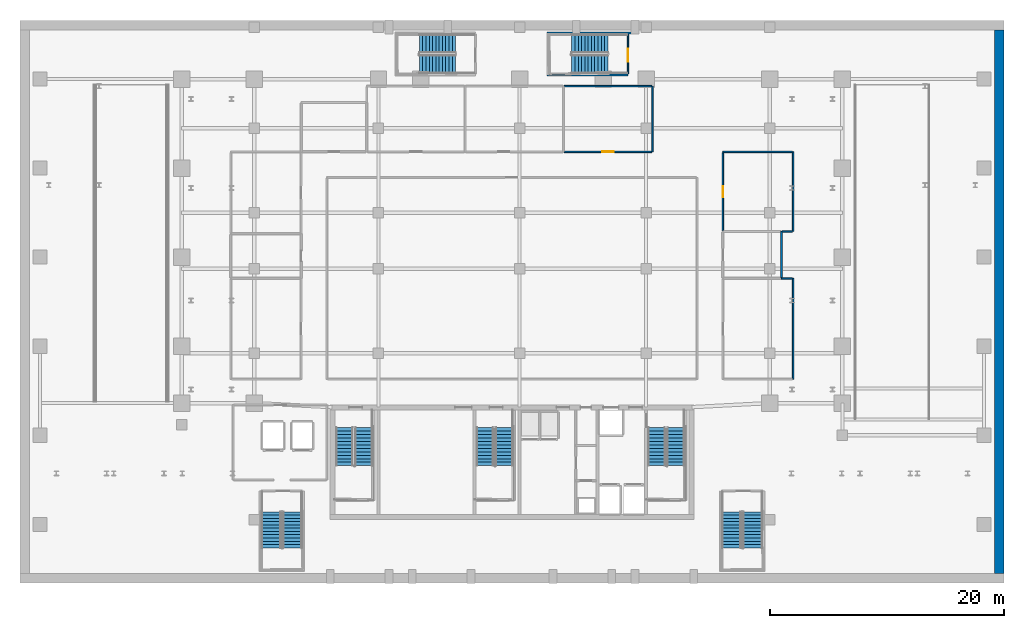
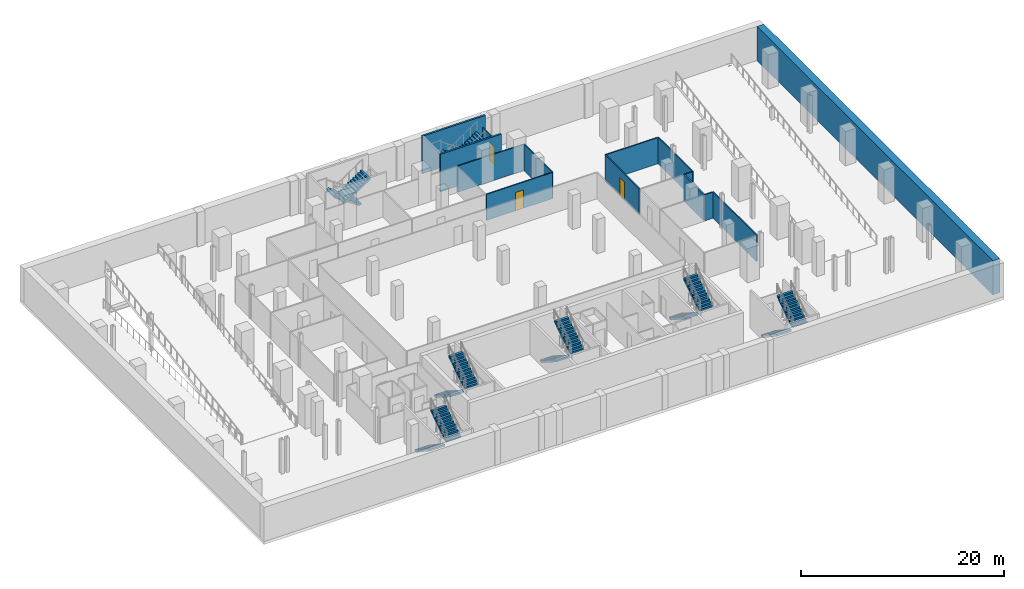
# One storey, part 12 of 18: 14 stair flights, 14 walls, 3 doors, 3 openings, 7 elements without a shape of their own.
"""IFC4 building model written with IfcOpenShell, lengths in metres."""

from ifc_helpers import new_model, si_unit, direction, frame, frame_2d, origin, place, context, subcontext, project, spatial, polyline, rectangle, outline, extrude, material, layer, layer_set, type_object, element, fill, aggregate, save


model = new_model("IFC4")

# Units and contexts
model_context = context("Model", 3, precision=1e-05, world=origin(), true_north=direction((0.0, 1.0)))
body_context = subcontext(model_context, "Body", "Model", "MODEL_VIEW")
ifc_project = project(units=[si_unit("LENGTHUNIT", "METRE"), si_unit("AREAUNIT", "SQUARE_METRE"), si_unit("VOLUMEUNIT", "CUBIC_METRE"), si_unit("PLANEANGLEUNIT", "RADIAN"), si_unit("MASSUNIT", "GRAM", prefix="KILO")], contexts=[model_context])

# Site, building, storey
site_placement = place(None, origin())
site = spatial("IfcSite", under=ifc_project, at=site_placement, CompositionType="ELEMENT")
building_placement = place(site_placement, origin())
building = spatial("IfcBuilding", under=site, at=building_placement, Name="Ndaravel Arena Tower", CompositionType="ELEMENT")
storey_placement = place(building_placement, frame((0.0, 0.0, -4.5)))
storey = spatial("IfcBuildingStorey", under=building, at=storey_placement, Name="B01", CompositionType="ELEMENT", Elevation=-4.5)

# Walls
ifc_material_1 = material(Name="Concrete C40/50", Category="concrete")
ifc_layer_1 = layer(ifc_material_1, 0.800048828125)
ifc_layer_set_1 = layer_set([ifc_layer_1], Name="Concrete C40/50")
wall_type_1 = type_object("IfcWallType", Name="WALL-DWALL-800", PredefinedType="USERDEFINED", material=ifc_layer_set_1)
wall_1_placement = place(storey_placement, frame((83.60009765625, 0.800048828125, 0.0), z_axis=(0.0, 0.0, 1.0), x_axis=(0.0, 1.0, 0.0)))
element("IfcWall", 1, at=wall_1_placement, inside=storey, type_object=wall_type_1, Name="B01 East Diaphragm Wall", ObjectType="RETAININGWALL", PredefinedType="USERDEFINED", context=body_context, shape_type="SweptSolid", body=[
    extrude(rectangle(XDim=46.39990234375, YDim=0.800048828125, at=frame_2d((23.199951171875, 0.0))), origin(), (0.0, 0.0, 1.0), 4.10009765625),
])
ifc_material_2 = material(Name="Gypsum", Category="gypsum")
ifc_layer_2 = layer(ifc_material_2, 0.125)
ifc_layer_set_2 = layer_set([ifc_layer_2], Name="Gypsum")
wall_type_2 = type_object("IfcWallType", Name="WALL-PART-125", PredefinedType="PARTITIONING", material=ifc_layer_set_2)
wall_2_placement = place(storey_placement, frame((54.0, 36.800048828125, 0.0), z_axis=(0.0, 0.0, 1.0), x_axis=(0.0, 1.0, 0.0)))
element("IfcWall", 2, at=wall_2_placement, inside=storey, type_object=wall_type_2, Name="B01 Interior Partition 026", PredefinedType="PARTITIONING", context=body_context, shape_type="SweptSolid", body=[
    extrude(rectangle(XDim=5.599853515625, YDim=0.125, at=frame_2d((2.7998046875, 0.0))), origin(), (0.0, 0.0, 1.0), 3.143310546875),
])
wall_3_placement = place(storey_placement, frame((53.93505859375, 42.39990234375, 0.0), z_axis=(0.0, 0.0, 1.0), x_axis=(-1.0, 0.0, 0.0)))
element("IfcWall", 3, at=wall_3_placement, inside=storey, type_object=wall_type_2, Name="B01 Interior Partition 027", PredefinedType="PARTITIONING", context=body_context, shape_type="SweptSolid", body=[
    extrude(rectangle(XDim=7.469970703125, YDim=0.125, at=frame_2d((3.73486328125, 0.0))), origin(), (0.0, 0.0, 1.0), 3.143310546875),
])

# Wall, opening, door
wall_4_placement = place(storey_placement, frame((46.465087890625, 36.800048828125, 0.0), z_axis=(0.0, 0.0, 1.0), x_axis=(1.0, 0.0, 0.0)))
wall_4 = element("IfcWall", 4, at=wall_4_placement, inside=storey, type_object=wall_type_2, Name="B01 Interior Partition 028", PredefinedType="PARTITIONING", context=body_context, shape_type="SweptSolid", body=[
    extrude(rectangle(XDim=7.469970703125, YDim=0.125, at=frame_2d((3.73486328125, 0.0))), origin(), (0.0, 0.0, 1.0), 3.143310546875),
])
opening_1_placement = place(wall_4_placement, frame((3.260009765625, 0.0, 0.0)))
opening_1 = element("IfcOpeningElement", 5, at=opening_1_placement, cuts=wall_4, Name="Opening ID-01", PredefinedType="OPENING", context=body_context, shape_type="SweptSolid", body=[
    extrude(rectangle(XDim=0.949951171875, YDim=2.199951171875, at=frame_2d((0.47509765625, 1.10009765625))), frame((0.0, 0.0625, 0.0), z_axis=(0.0, -1.0, 0.0), x_axis=(1.0, 0.0, 0.0)), (0.0, 0.0, 1.0), 0.125),
])
ifc_material_3 = material(Name="Timber", Category="wood")
door_type_1 = type_object("IfcDoorType", Name="DT-03-OFFICE-950", OperationType="SINGLE_SWING_LEFT", PredefinedType="DOOR", material=ifc_material_3)
door_1_placement = place(opening_1_placement, origin())
door_1 = element("IfcDoor", 6, at=door_1_placement, inside=storey, type_object=door_type_1, Name="B01 Match Officials & Referee Changing Room Door", OperationType="SINGLE_SWING_LEFT", OverallHeight=2.199951171875, OverallWidth=0.949951171875, PredefinedType="DOOR", context=body_context, shape_type="SweptSolid", body=[
    extrude(rectangle(XDim=0.949951171875, YDim=2.199951171875, at=frame_2d((0.47509765625, 1.10009765625))), frame((0.0, 0.02490234375, 0.0), z_axis=(0.0, -1.0, 0.0), x_axis=(1.0, 0.0, 0.0)), (0.0, 0.0, 1.0), 0.050048828125),
])
fill(opening_1, door_1)

# Walls
wall_5_placement = place(storey_placement, frame((66.0, 17.39990234375, 0.0), z_axis=(0.0, 0.0, 1.0), x_axis=(0.0, 1.0, 0.0)))
element("IfcWall", 7, at=wall_5_placement, inside=storey, type_object=wall_type_2, Name="B01 Interior Partition 029", PredefinedType="PARTITIONING", context=body_context, shape_type="SweptSolid", body=[
    extrude(rectangle(XDim=8.60009765625, YDim=0.125, at=frame_2d((4.300048828125, 0.0))), origin(), (0.0, 0.0, 1.0), 3.143310546875),
])
wall_6_placement = place(storey_placement, frame((65.93505859375, 26.0, 0.0), z_axis=(0.0, 0.0, 1.0), x_axis=(-1.0, 0.0, 0.0)))
element("IfcWall", 8, at=wall_6_placement, inside=storey, type_object=wall_type_2, Name="B01 Interior Partition 030", PredefinedType="PARTITIONING", context=body_context, shape_type="SweptSolid", body=[
    extrude(rectangle(XDim=0.93505859375, YDim=0.125, at=frame_2d((0.467529296875, 0.0))), origin(), (0.0, 0.0, 1.0), 3.143310546875),
])
wall_7_placement = place(storey_placement, frame((66.0, 30.0, 0.0), z_axis=(0.0, 0.0, 1.0), x_axis=(0.0, 1.0, 0.0)))
element("IfcWall", 9, at=wall_7_placement, inside=storey, type_object=wall_type_2, Name="B01 Interior Partition 037", PredefinedType="PARTITIONING", context=body_context, shape_type="SweptSolid", body=[
    extrude(rectangle(XDim=6.800048828125, YDim=0.125, at=frame_2d((3.39990234375, 0.0))), origin(), (0.0, 0.0, 1.0), 3.143310546875),
])
wall_8_placement = place(storey_placement, frame((65.93505859375, 36.800048828125, 0.0), z_axis=(0.0, 0.0, 1.0), x_axis=(-1.0, 0.0, 0.0)))
element("IfcWall", 10, at=wall_8_placement, inside=storey, type_object=wall_type_2, Name="B01 Interior Partition 038", PredefinedType="PARTITIONING", context=body_context, shape_type="SweptSolid", body=[
    extrude(rectangle(XDim=5.93505859375, YDim=0.125, at=frame_2d((2.967529296875, 0.0))), origin(), (0.0, 0.0, 1.0), 3.143310546875),
])

# Wall, opening, door
wall_9_placement = place(storey_placement, frame((60.0, 36.735107421875, 0.0), z_axis=(0.0, 0.0, 1.0), x_axis=(0.0, -1.0, 0.0)))
wall_9 = element("IfcWall", 11, at=wall_9_placement, inside=storey, type_object=wall_type_2, Name="B01 Interior Partition 039", PredefinedType="PARTITIONING", context=body_context, shape_type="SweptSolid", body=[
    extrude(rectangle(XDim=6.670166015625, YDim=0.125, at=frame_2d((3.3349609375, 0.0))), origin(), (0.0, 0.0, 1.0), 3.143310546875),
])
opening_2_placement = place(wall_9_placement, frame((2.860107421875, 0.0, 0.0)))
opening_2 = element("IfcOpeningElement", 12, at=opening_2_placement, cuts=wall_9, Name="Opening ID-01", PredefinedType="OPENING", context=body_context, shape_type="SweptSolid", body=[
    extrude(rectangle(XDim=0.949951171875, YDim=2.199951171875, at=frame_2d((0.47509765625, 1.10009765625))), frame((0.0, 0.0625, 0.0), z_axis=(0.0, -1.0, 0.0), x_axis=(1.0, 0.0, 0.0)), (0.0, 0.0, 1.0), 0.125),
])
door_2_placement = place(opening_2_placement, origin())
door_2 = element("IfcDoor", 13, at=door_2_placement, inside=storey, type_object=door_type_1, Name="B01 Arena Rigging & Sports Equipment Store Door", OperationType="SINGLE_SWING_RIGHT", OverallHeight=2.199951171875, OverallWidth=0.949951171875, PredefinedType="DOOR", context=body_context, shape_type="SweptSolid", body=[
    extrude(rectangle(XDim=0.949951171875, YDim=2.199951171875, at=frame_2d((0.47509765625, 1.10009765625))), frame((0.0, 0.02490234375, 0.0), z_axis=(0.0, -1.0, 0.0), x_axis=(1.0, 0.0, 0.0)), (0.0, 0.0, 1.0), 0.050048828125),
])
fill(opening_2, door_2)

# Wall
wall_10_placement = place(storey_placement, frame((65.06494140625, 30.0, 0.0), z_axis=(0.0, 0.0, 1.0), x_axis=(1.0, 0.0, 0.0)))
element("IfcWall", 14, at=wall_10_placement, inside=storey, type_object=wall_type_2, Name="B01 Interior Partition 040", PredefinedType="PARTITIONING", context=body_context, shape_type="SweptSolid", body=[
    extrude(rectangle(XDim=0.8701171875, YDim=0.125, at=frame_2d((0.43505859375, 0.0))), origin(), (0.0, 0.0, 1.0), 3.143310546875),
])

# Wall, opening, door
ifc_material_4 = material(Name="Concrete C40/50", Category="concrete")
ifc_layer_3 = layer(ifc_material_4, 0.1201171875)
ifc_layer_set_3 = layer_set([ifc_layer_3], Name="Concrete C40/50")
wall_type_3 = type_object("IfcWallType", Name="WALL-SHAFT-120", PredefinedType="SOLIDWALL", material=ifc_layer_set_3)
wall_11_placement = place(storey_placement, frame((51.89990234375, 46.8349609375, 0.0), z_axis=(0.0, 0.0, 1.0), x_axis=(0.0, -1.0, 0.0)))
wall_11 = element("IfcWall", 15, at=wall_11_placement, inside=storey, type_object=wall_type_3, Name="B01 ST-B4 Entry Wall", PredefinedType="SOLIDWALL", context=body_context, shape_type="SweptSolid", body=[
    extrude(rectangle(XDim=3.369873046875, YDim=0.1201171875, at=frame_2d((1.68505859375, 0.0))), origin(), (0.0, 0.0, 1.0), 3.143310546875),
])
opening_3_placement = place(wall_11_placement, frame((1.239990234375, 0.0, 0.0)))
opening_3 = element("IfcOpeningElement", 16, at=opening_3_placement, cuts=wall_11, Name="Opening FD-01", PredefinedType="OPENING", context=body_context, shape_type="SweptSolid", body=[
    extrude(rectangle(XDim=1.10009765625, YDim=2.199951171875, at=frame_2d((0.550048828125, 1.10009765625))), frame((0.0, 0.06005859375, 0.0), z_axis=(0.0, -1.0, 0.0), x_axis=(1.0, 0.0, 0.0)), (0.0, 0.0, 1.0), 0.1201171875),
])
ifc_material_5 = material(Name="Steel S355", Category="steel")
door_type_2 = type_object("IfcDoorType", Name="DT-01-STAIR-1100", OperationType="SINGLE_SWING_LEFT", PredefinedType="DOOR", material=ifc_material_5)
door_3_placement = place(opening_3_placement, origin())
door_3 = element("IfcDoor", 17, at=door_3_placement, inside=storey, type_object=door_type_2, Name="B01 ST-B4 Fire Exit Stair Door", OperationType="SINGLE_SWING_RIGHT", OverallHeight=2.199951171875, OverallWidth=1.10009765625, PredefinedType="DOOR", context=body_context, shape_type="SweptSolid", body=[
    extrude(rectangle(XDim=1.10009765625, YDim=2.199951171875, at=frame_2d((0.550048828125, 1.10009765625))), frame((0.0, 0.02490234375, 0.0), z_axis=(0.0, -1.0, 0.0), x_axis=(1.0, 0.0, 0.0)), (0.0, 0.0, 1.0), 0.050048828125),
])
fill(opening_3, door_3)

# Walls
ifc_material_6 = material(Name="Concrete C40/50", Category="concrete")
ifc_layer_4 = layer(ifc_material_6, 0.199951171875)
ifc_layer_set_4 = layer_set([ifc_layer_4], Name="Concrete C40/50")
wall_type_4 = type_object("IfcWallType", Name="WALL-SHAFT-200", PredefinedType="SOLIDWALL", material=ifc_layer_set_4)
wall_12_placement = place(storey_placement, frame((52.179931640625, 46.93994140625, 0.0), z_axis=(0.0, 0.0, 1.0), x_axis=(-1.0, 0.0, 0.0)))
element("IfcWall", 18, at=wall_12_placement, inside=storey, type_object=wall_type_4, Name="B01 ST-B4 Shaft Wall Left", PredefinedType="SOLIDWALL", context=body_context, shape_type="SweptSolid", body=[
    extrude(rectangle(XDim=7.179931640625, YDim=0.199951171875, at=frame_2d((3.58984375, 0.0))), origin(), (0.0, 0.0, 1.0), 4.5),
])
wall_13_placement = place(storey_placement, frame((51.89990234375, 43.360107421875, 0.0), z_axis=(0.0, 0.0, 1.0), x_axis=(-1.0, 0.0, 0.0)))
element("IfcWall", 19, at=wall_13_placement, inside=storey, type_object=wall_type_4, Name="B01 ST-B4 Shaft Wall Right", PredefinedType="SOLIDWALL", context=body_context, shape_type="SweptSolid", body=[
    extrude(rectangle(XDim=6.89990234375, YDim=0.199951171875, at=frame_2d((3.449951171875, 0.0))), origin(), (0.0, 0.0, 1.0), 4.5),
])
ifc_material_7 = material(Name="Masonry", Category="masonry")
ifc_layer_5 = layer(ifc_material_7, 0.14990234375)
ifc_layer_set_5 = layer_set([ifc_layer_5], Name="Masonry")
wall_type_5 = type_object("IfcWallType", Name="WALL-WET-150", PredefinedType="PARTITIONING", material=ifc_layer_set_5)
wall_14_placement = place(storey_placement, frame((65.0, 26.06494140625, 0.0), z_axis=(0.0, 0.0, 1.0), x_axis=(0.0, 1.0, 0.0)))
element("IfcWall", 20, at=wall_14_placement, inside=storey, type_object=wall_type_5, Name="B01 Interior Partition 034", PredefinedType="PARTITIONING", context=body_context, shape_type="SweptSolid", body=[
    extrude(rectangle(XDim=3.93505859375, YDim=0.14990234375, at=frame_2d((1.967529296875, 0.0))), origin(), (0.0, 0.0, 1.0), 3.143310546875),
])

# Stair, stair flights
ifc_material_8 = material(Name="Concrete C40/50", Category="concrete")
stair_type = type_object("IfcStairType", Name="STAIR-CORE-HT", PredefinedType="HALF_TURN_STAIR", material=ifc_material_8)
stair_1_placement = place(storey_placement, origin())
stair_1 = element("IfcStair", 21, at=stair_1_placement, inside=storey, type_object=stair_type, Name="B01 ST-B1", PredefinedType="HALF_TURN_STAIR")
ifc_material_9 = material(Name="Concrete C40/50", Category="concrete")
stair_flight_type_1 = type_object("IfcStairFlightType", Name="SFLIGHT-BSMT-1620", PredefinedType="STRAIGHT", material=ifc_material_9)
stair_flight_1_placement = place(storey_placement, frame((21.43994140625, 6.070068359375, 0.0), z_axis=(0.0, 0.0, 1.0), x_axis=(0.0, -1.0, 0.0)))
stair_flight_1 = element("IfcStairFlight", 22, at=stair_flight_1_placement, type_object=stair_flight_type_1, Name="ST-B1 flight 1", NumberOfRisers=12, NumberOfTreads=11, PredefinedType="STRAIGHT", RiserHeight=0.1875, TreadLength=0.28, context=body_context, shape_type="SweptSolid", body=[
    extrude(outline(polyline([(0.0, 0.0), (0.0, 0.1875), (0.280029296875, 0.1875), (0.280029296875, 0.375), (0.56005859375, 0.375), (0.56005859375, 0.5625), (0.840087890625, 0.5625), (0.840087890625, 0.75), (1.1201171875, 0.75), (1.1201171875, 0.9375), (1.39990234375, 0.9375), (1.39990234375, 1.125), (1.679931640625, 1.125), (1.679931640625, 1.3125), (1.9599609375, 1.3125), (1.9599609375, 1.5), (2.239990234375, 1.5), (2.239990234375, 1.6875), (2.52001953125, 1.6875), (2.52001953125, 1.875), (2.800048828125, 1.875), (2.800048828125, 2.0625), (3.080078125, 2.0625), (3.080078125, 2.25), (3.080078125, 1.845947265625), (0.323486328125, 0.0), (0.0, 0.0)])), frame((0.0, 0.83984375, 0.0), z_axis=(0.0, -1.0, 0.0), x_axis=(1.0, 0.0, 0.0)), (0.0, 0.0, 1.0), 1.679931640625),
])
stair_flight_2_placement = place(storey_placement, frame((23.260009765625, 2.989990234375, 2.25), z_axis=(0.0, 0.0, 1.0), x_axis=(0.0, 1.0, 0.0)))
stair_flight_2 = element("IfcStairFlight", 23, at=stair_flight_2_placement, type_object=stair_flight_type_1, Name="ST-B1 flight 2", NumberOfRisers=12, NumberOfTreads=11, PredefinedType="STRAIGHT", RiserHeight=0.1875, TreadLength=0.28, context=body_context, shape_type="SweptSolid", body=[
    extrude(outline(polyline([(0.0, 0.0), (0.0, 0.1875), (0.280029296875, 0.1875), (0.280029296875, 0.375), (0.56005859375, 0.375), (0.56005859375, 0.5625), (0.840087890625, 0.5625), (0.840087890625, 0.75), (1.1201171875, 0.75), (1.1201171875, 0.9375), (1.39990234375, 0.9375), (1.39990234375, 1.125), (1.679931640625, 1.125), (1.679931640625, 1.3125), (1.9599609375, 1.3125), (1.9599609375, 1.5), (2.239990234375, 1.5), (2.239990234375, 1.6875), (2.52001953125, 1.6875), (2.52001953125, 1.875), (2.800048828125, 1.875), (2.800048828125, 2.0625), (3.080078125, 2.0625), (3.080078125, 2.25), (3.080078125, 1.845947265625), (0.323486328125, 0.0), (0.0, 0.0)])), frame((0.0, 0.83984375, 0.0), z_axis=(0.0, -1.0, 0.0), x_axis=(1.0, 0.0, 0.0)), (0.0, 0.0, 1.0), 1.679931640625),
])
aggregate(stair_1, [stair_flight_1, stair_flight_2])

stair_2_placement = place(storey_placement, origin())
stair_2 = element("IfcStair", 24, at=stair_2_placement, inside=storey, type_object=stair_type, Name="B01 ST-B2", PredefinedType="HALF_TURN_STAIR")
stair_flight_3_placement = place(storey_placement, frame((60.739990234375, 6.070068359375, 0.0), z_axis=(0.0, 0.0, 1.0), x_axis=(0.0, -1.0, 0.0)))
stair_flight_3 = element("IfcStairFlight", 25, at=stair_flight_3_placement, type_object=stair_flight_type_1, Name="ST-B2 flight 1", NumberOfRisers=12, NumberOfTreads=11, PredefinedType="STRAIGHT", RiserHeight=0.1875, TreadLength=0.28, context=body_context, shape_type="SweptSolid", body=[
    extrude(outline(polyline([(0.0, 0.0), (0.0, 0.1875), (0.280029296875, 0.1875), (0.280029296875, 0.375), (0.56005859375, 0.375), (0.56005859375, 0.5625), (0.840087890625, 0.5625), (0.840087890625, 0.75), (1.1201171875, 0.75), (1.1201171875, 0.9375), (1.39990234375, 0.9375), (1.39990234375, 1.125), (1.679931640625, 1.125), (1.679931640625, 1.3125), (1.9599609375, 1.3125), (1.9599609375, 1.5), (2.239990234375, 1.5), (2.239990234375, 1.6875), (2.52001953125, 1.6875), (2.52001953125, 1.875), (2.800048828125, 1.875), (2.800048828125, 2.0625), (3.080078125, 2.0625), (3.080078125, 2.25), (3.080078125, 1.845947265625), (0.323486328125, 0.0), (0.0, 0.0)])), frame((0.0, 0.83984375, 0.0), z_axis=(0.0, -1.0, 0.0), x_axis=(1.0, 0.0, 0.0)), (0.0, 0.0, 1.0), 1.679931640625),
])
stair_flight_4_placement = place(storey_placement, frame((62.56005859375, 2.989990234375, 2.25), z_axis=(0.0, 0.0, 1.0), x_axis=(0.0, 1.0, 0.0)))
stair_flight_4 = element("IfcStairFlight", 26, at=stair_flight_4_placement, type_object=stair_flight_type_1, Name="ST-B2 flight 2", NumberOfRisers=12, NumberOfTreads=11, PredefinedType="STRAIGHT", RiserHeight=0.1875, TreadLength=0.28, context=body_context, shape_type="SweptSolid", body=[
    extrude(outline(polyline([(0.0, 0.0), (0.0, 0.1875), (0.280029296875, 0.1875), (0.280029296875, 0.375), (0.56005859375, 0.375), (0.56005859375, 0.5625), (0.840087890625, 0.5625), (0.840087890625, 0.75), (1.1201171875, 0.75), (1.1201171875, 0.9375), (1.39990234375, 0.9375), (1.39990234375, 1.125), (1.679931640625, 1.125), (1.679931640625, 1.3125), (1.9599609375, 1.3125), (1.9599609375, 1.5), (2.239990234375, 1.5), (2.239990234375, 1.6875), (2.52001953125, 1.6875), (2.52001953125, 1.875), (2.800048828125, 1.875), (2.800048828125, 2.0625), (3.080078125, 2.0625), (3.080078125, 2.25), (3.080078125, 1.845947265625), (0.323486328125, 0.0), (0.0, 0.0)])), frame((0.0, 0.83984375, 0.0), z_axis=(0.0, -1.0, 0.0), x_axis=(1.0, 0.0, 0.0)), (0.0, 0.0, 1.0), 1.679931640625),
])
aggregate(stair_2, [stair_flight_3, stair_flight_4])

stair_3_placement = place(storey_placement, origin())
stair_3 = element("IfcStair", 27, at=stair_3_placement, inside=storey, type_object=stair_type, Name="B01 ST-B3", PredefinedType="HALF_TURN_STAIR")
stair_flight_5_placement = place(storey_placement, frame((37.179931640625, 46.030029296875, 0.0), z_axis=(0.0, 0.0, 1.0), x_axis=(-1.0, 0.0, 0.0)))
stair_flight_5 = element("IfcStairFlight", 28, at=stair_flight_5_placement, type_object=stair_flight_type_1, Name="ST-B3 flight 1", NumberOfRisers=12, NumberOfTreads=11, PredefinedType="STRAIGHT", RiserHeight=0.1875, TreadLength=0.28, context=body_context, shape_type="SweptSolid", body=[
    extrude(outline(polyline([(0.0, 0.0), (0.0, 0.1875), (0.280029296875, 0.1875), (0.280029296875, 0.375), (0.56005859375, 0.375), (0.56005859375, 0.5625), (0.840087890625, 0.5625), (0.840087890625, 0.75), (1.1201171875, 0.75), (1.1201171875, 0.9375), (1.39990234375, 0.9375), (1.39990234375, 1.125), (1.679931640625, 1.125), (1.679931640625, 1.3125), (1.9599609375, 1.3125), (1.9599609375, 1.5), (2.239990234375, 1.5), (2.239990234375, 1.6875), (2.52001953125, 1.6875), (2.52001953125, 1.875), (2.800048828125, 1.875), (2.800048828125, 2.0625), (3.080078125, 2.0625), (3.080078125, 2.25), (3.080078125, 1.845947265625), (0.323486328125, 0.0), (0.0, 0.0)])), frame((0.0, 0.81005859375, 0.0), z_axis=(0.0, -1.0, 0.0), x_axis=(1.0, 0.0, 0.0)), (0.0, 0.0, 1.0), 1.6201171875),
])
stair_flight_6_placement = place(storey_placement, frame((34.10009765625, 44.27001953125, 2.25), z_axis=(0.0, 0.0, 1.0), x_axis=(1.0, 0.0, 0.0)))
stair_flight_6 = element("IfcStairFlight", 29, at=stair_flight_6_placement, type_object=stair_flight_type_1, Name="ST-B3 flight 2", NumberOfRisers=12, NumberOfTreads=11, PredefinedType="STRAIGHT", RiserHeight=0.1875, TreadLength=0.28, context=body_context, shape_type="SweptSolid", body=[
    extrude(outline(polyline([(0.0, 0.0), (0.0, 0.1875), (0.280029296875, 0.1875), (0.280029296875, 0.375), (0.56005859375, 0.375), (0.56005859375, 0.5625), (0.840087890625, 0.5625), (0.840087890625, 0.75), (1.1201171875, 0.75), (1.1201171875, 0.9375), (1.39990234375, 0.9375), (1.39990234375, 1.125), (1.679931640625, 1.125), (1.679931640625, 1.3125), (1.9599609375, 1.3125), (1.9599609375, 1.5), (2.239990234375, 1.5), (2.239990234375, 1.6875), (2.52001953125, 1.6875), (2.52001953125, 1.875), (2.800048828125, 1.875), (2.800048828125, 2.0625), (3.080078125, 2.0625), (3.080078125, 2.25), (3.080078125, 1.845947265625), (0.323486328125, 0.0), (0.0, 0.0)])), frame((0.0, 0.81005859375, 0.0), z_axis=(0.0, -1.0, 0.0), x_axis=(1.0, 0.0, 0.0)), (0.0, 0.0, 1.0), 1.6201171875),
])
aggregate(stair_3, [stair_flight_5, stair_flight_6])

stair_4_placement = place(storey_placement, origin())
stair_4 = element("IfcStair", 30, at=stair_4_placement, inside=storey, type_object=stair_type, Name="B01 ST-B4", PredefinedType="HALF_TURN_STAIR")
stair_flight_7_placement = place(storey_placement, frame((50.179931640625, 46.030029296875, 0.0), z_axis=(0.0, 0.0, 1.0), x_axis=(-1.0, 0.0, 0.0)))
stair_flight_7 = element("IfcStairFlight", 31, at=stair_flight_7_placement, type_object=stair_flight_type_1, Name="ST-B4 flight 1", NumberOfRisers=12, NumberOfTreads=11, PredefinedType="STRAIGHT", RiserHeight=0.1875, TreadLength=0.28, context=body_context, shape_type="SweptSolid", body=[
    extrude(outline(polyline([(0.0, 0.0), (0.0, 0.1875), (0.280029296875, 0.1875), (0.280029296875, 0.375), (0.56005859375, 0.375), (0.56005859375, 0.5625), (0.840087890625, 0.5625), (0.840087890625, 0.75), (1.1201171875, 0.75), (1.1201171875, 0.9375), (1.39990234375, 0.9375), (1.39990234375, 1.125), (1.679931640625, 1.125), (1.679931640625, 1.3125), (1.9599609375, 1.3125), (1.9599609375, 1.5), (2.239990234375, 1.5), (2.239990234375, 1.6875), (2.52001953125, 1.6875), (2.52001953125, 1.875), (2.800048828125, 1.875), (2.800048828125, 2.0625), (3.080078125, 2.0625), (3.080078125, 2.25), (3.080078125, 1.845947265625), (0.323486328125, 0.0), (0.0, 0.0)])), frame((0.0, 0.81005859375, 0.0), z_axis=(0.0, -1.0, 0.0), x_axis=(1.0, 0.0, 0.0)), (0.0, 0.0, 1.0), 1.6201171875),
])
stair_flight_8_placement = place(storey_placement, frame((47.10009765625, 44.27001953125, 2.25), z_axis=(0.0, 0.0, 1.0), x_axis=(1.0, 0.0, 0.0)))
stair_flight_8 = element("IfcStairFlight", 32, at=stair_flight_8_placement, type_object=stair_flight_type_1, Name="ST-B4 flight 2", NumberOfRisers=12, NumberOfTreads=11, PredefinedType="STRAIGHT", RiserHeight=0.1875, TreadLength=0.28, context=body_context, shape_type="SweptSolid", body=[
    extrude(outline(polyline([(0.0, 0.0), (0.0, 0.1875), (0.280029296875, 0.1875), (0.280029296875, 0.375), (0.56005859375, 0.375), (0.56005859375, 0.5625), (0.840087890625, 0.5625), (0.840087890625, 0.75), (1.1201171875, 0.75), (1.1201171875, 0.9375), (1.39990234375, 0.9375), (1.39990234375, 1.125), (1.679931640625, 1.125), (1.679931640625, 1.3125), (1.9599609375, 1.3125), (1.9599609375, 1.5), (2.239990234375, 1.5), (2.239990234375, 1.6875), (2.52001953125, 1.6875), (2.52001953125, 1.875), (2.800048828125, 1.875), (2.800048828125, 2.0625), (3.080078125, 2.0625), (3.080078125, 2.25), (3.080078125, 1.845947265625), (0.323486328125, 0.0), (0.0, 0.0)])), frame((0.0, 0.81005859375, 0.0), z_axis=(0.0, -1.0, 0.0), x_axis=(1.0, 0.0, 0.0)), (0.0, 0.0, 1.0), 1.6201171875),
])
aggregate(stair_4, [stair_flight_7, stair_flight_8])

stair_5_placement = place(storey_placement, origin())
stair_5 = element("IfcStair", 33, at=stair_5_placement, inside=storey, type_object=stair_type, Name="B01 ST-1", PredefinedType="HALF_TURN_STAIR")
ifc_material_10 = material(Name="Concrete C40/50", Category="concrete")
stair_flight_type_2 = type_object("IfcStairFlightType", Name="SFLIGHT-CORE-1680", PredefinedType="STRAIGHT", material=ifc_material_10)
stair_flight_9_placement = place(storey_placement, frame((27.699951171875, 13.25, 0.0), z_axis=(0.0, 0.0, 1.0), x_axis=(0.0, -1.0, 0.0)))
stair_flight_9 = element("IfcStairFlight", 34, at=stair_flight_9_placement, type_object=stair_flight_type_2, Name="ST-1 flight 1", NumberOfRisers=12, NumberOfTreads=11, PredefinedType="STRAIGHT", RiserHeight=0.1875, TreadLength=0.295, context=body_context, shape_type="SweptSolid", body=[
    extrude(outline(polyline([(0.0, 0.0), (0.0, 0.1875), (0.294921875, 0.1875), (0.294921875, 0.375), (0.590087890625, 0.375), (0.590087890625, 0.5625), (0.885009765625, 0.5625), (0.885009765625, 0.75), (1.179931640625, 0.75), (1.179931640625, 0.9375), (1.47509765625, 0.9375), (1.47509765625, 1.125), (1.77001953125, 1.125), (1.77001953125, 1.3125), (2.06494140625, 1.3125), (2.06494140625, 1.5), (2.360107421875, 1.5), (2.360107421875, 1.6875), (2.655029296875, 1.6875), (2.655029296875, 1.875), (2.949951171875, 1.875), (2.949951171875, 2.0625), (3.2451171875, 2.0625), (3.2451171875, 2.25), (3.2451171875, 1.849365234375), (0.33544921875, 0.0), (0.0, 0.0)])), frame((0.0, 0.75, 0.0), z_axis=(0.0, -1.0, 0.0), x_axis=(1.0, 0.0, 0.0)), (0.0, 0.0, 1.0), 1.5),
])
stair_flight_10_placement = place(storey_placement, frame((29.340087890625, 10.0048828125, 2.25), z_axis=(0.0, 0.0, 1.0), x_axis=(0.0, 1.0, 0.0)))
stair_flight_10 = element("IfcStairFlight", 35, at=stair_flight_10_placement, type_object=stair_flight_type_2, Name="ST-1 flight 2", NumberOfRisers=12, NumberOfTreads=11, PredefinedType="STRAIGHT", RiserHeight=0.1875, TreadLength=0.295, context=body_context, shape_type="SweptSolid", body=[
    extrude(outline(polyline([(0.0, 0.0), (0.0, 0.1875), (0.294921875, 0.1875), (0.294921875, 0.375), (0.590087890625, 0.375), (0.590087890625, 0.5625), (0.885009765625, 0.5625), (0.885009765625, 0.75), (1.179931640625, 0.75), (1.179931640625, 0.9375), (1.47509765625, 0.9375), (1.47509765625, 1.125), (1.77001953125, 1.125), (1.77001953125, 1.3125), (2.06494140625, 1.3125), (2.06494140625, 1.5), (2.360107421875, 1.5), (2.360107421875, 1.6875), (2.655029296875, 1.6875), (2.655029296875, 1.875), (2.949951171875, 1.875), (2.949951171875, 2.0625), (3.2451171875, 2.0625), (3.2451171875, 2.25), (3.2451171875, 1.849365234375), (0.33544921875, 0.0), (0.0, 0.0)])), frame((0.0, 0.75, 0.0), z_axis=(0.0, -1.0, 0.0), x_axis=(1.0, 0.0, 0.0)), (0.0, 0.0, 1.0), 1.5),
])
aggregate(stair_5, [stair_flight_9, stair_flight_10])

stair_6_placement = place(storey_placement, origin())
stair_6 = element("IfcStair", 36, at=stair_6_placement, inside=storey, type_object=stair_type, Name="B01 ST-2", PredefinedType="HALF_TURN_STAIR")
stair_flight_11_placement = place(storey_placement, frame((39.699951171875, 13.25, 0.0), z_axis=(0.0, 0.0, 1.0), x_axis=(0.0, -1.0, 0.0)))
stair_flight_11 = element("IfcStairFlight", 37, at=stair_flight_11_placement, type_object=stair_flight_type_2, Name="ST-2 flight 1", NumberOfRisers=12, NumberOfTreads=11, PredefinedType="STRAIGHT", RiserHeight=0.1875, TreadLength=0.295, context=body_context, shape_type="SweptSolid", body=[
    extrude(outline(polyline([(0.0, 0.0), (0.0, 0.1875), (0.294921875, 0.1875), (0.294921875, 0.375), (0.590087890625, 0.375), (0.590087890625, 0.5625), (0.885009765625, 0.5625), (0.885009765625, 0.75), (1.179931640625, 0.75), (1.179931640625, 0.9375), (1.47509765625, 0.9375), (1.47509765625, 1.125), (1.77001953125, 1.125), (1.77001953125, 1.3125), (2.06494140625, 1.3125), (2.06494140625, 1.5), (2.360107421875, 1.5), (2.360107421875, 1.6875), (2.655029296875, 1.6875), (2.655029296875, 1.875), (2.949951171875, 1.875), (2.949951171875, 2.0625), (3.2451171875, 2.0625), (3.2451171875, 2.25), (3.2451171875, 1.849365234375), (0.33544921875, 0.0), (0.0, 0.0)])), frame((0.0, 0.75, 0.0), z_axis=(0.0, -1.0, 0.0), x_axis=(1.0, 0.0, 0.0)), (0.0, 0.0, 1.0), 1.5),
])
stair_flight_12_placement = place(storey_placement, frame((41.340087890625, 10.0048828125, 2.25), z_axis=(0.0, 0.0, 1.0), x_axis=(0.0, 1.0, 0.0)))
stair_flight_12 = element("IfcStairFlight", 38, at=stair_flight_12_placement, type_object=stair_flight_type_2, Name="ST-2 flight 2", NumberOfRisers=12, NumberOfTreads=11, PredefinedType="STRAIGHT", RiserHeight=0.1875, TreadLength=0.295, context=body_context, shape_type="SweptSolid", body=[
    extrude(outline(polyline([(0.0, 0.0), (0.0, 0.1875), (0.294921875, 0.1875), (0.294921875, 0.375), (0.590087890625, 0.375), (0.590087890625, 0.5625), (0.885009765625, 0.5625), (0.885009765625, 0.75), (1.179931640625, 0.75), (1.179931640625, 0.9375), (1.47509765625, 0.9375), (1.47509765625, 1.125), (1.77001953125, 1.125), (1.77001953125, 1.3125), (2.06494140625, 1.3125), (2.06494140625, 1.5), (2.360107421875, 1.5), (2.360107421875, 1.6875), (2.655029296875, 1.6875), (2.655029296875, 1.875), (2.949951171875, 1.875), (2.949951171875, 2.0625), (3.2451171875, 2.0625), (3.2451171875, 2.25), (3.2451171875, 1.849365234375), (0.33544921875, 0.0), (0.0, 0.0)])), frame((0.0, 0.75, 0.0), z_axis=(0.0, -1.0, 0.0), x_axis=(1.0, 0.0, 0.0)), (0.0, 0.0, 1.0), 1.5),
])
aggregate(stair_6, [stair_flight_11, stair_flight_12])

stair_7_placement = place(storey_placement, origin())
stair_7 = element("IfcStair", 39, at=stair_7_placement, inside=storey, type_object=stair_type, Name="B01 ST-3", PredefinedType="HALF_TURN_STAIR")
stair_flight_13_placement = place(storey_placement, frame((54.35009765625, 13.25, 0.0), z_axis=(0.0, 0.0, 1.0), x_axis=(0.0, -1.0, 0.0)))
stair_flight_13 = element("IfcStairFlight", 40, at=stair_flight_13_placement, type_object=stair_flight_type_2, Name="ST-3 flight 1", NumberOfRisers=12, NumberOfTreads=11, PredefinedType="STRAIGHT", RiserHeight=0.1875, TreadLength=0.295, context=body_context, shape_type="SweptSolid", body=[
    extrude(outline(polyline([(0.0, 0.0), (0.0, 0.1875), (0.294921875, 0.1875), (0.294921875, 0.375), (0.590087890625, 0.375), (0.590087890625, 0.5625), (0.885009765625, 0.5625), (0.885009765625, 0.75), (1.179931640625, 0.75), (1.179931640625, 0.9375), (1.47509765625, 0.9375), (1.47509765625, 1.125), (1.77001953125, 1.125), (1.77001953125, 1.3125), (2.06494140625, 1.3125), (2.06494140625, 1.5), (2.360107421875, 1.5), (2.360107421875, 1.6875), (2.655029296875, 1.6875), (2.655029296875, 1.875), (2.949951171875, 1.875), (2.949951171875, 2.0625), (3.2451171875, 2.0625), (3.2451171875, 2.25), (3.2451171875, 1.849365234375), (0.33544921875, 0.0), (0.0, 0.0)])), frame((0.0, 0.75, 0.0), z_axis=(0.0, -1.0, 0.0), x_axis=(1.0, 0.0, 0.0)), (0.0, 0.0, 1.0), 1.5),
])
stair_flight_14_placement = place(storey_placement, frame((55.989990234375, 10.0048828125, 2.25), z_axis=(0.0, 0.0, 1.0), x_axis=(0.0, 1.0, 0.0)))
stair_flight_14 = element("IfcStairFlight", 41, at=stair_flight_14_placement, type_object=stair_flight_type_2, Name="ST-3 flight 2", NumberOfRisers=12, NumberOfTreads=11, PredefinedType="STRAIGHT", RiserHeight=0.1875, TreadLength=0.295, context=body_context, shape_type="SweptSolid", body=[
    extrude(outline(polyline([(0.0, 0.0), (0.0, 0.1875), (0.294921875, 0.1875), (0.294921875, 0.375), (0.590087890625, 0.375), (0.590087890625, 0.5625), (0.885009765625, 0.5625), (0.885009765625, 0.75), (1.179931640625, 0.75), (1.179931640625, 0.9375), (1.47509765625, 0.9375), (1.47509765625, 1.125), (1.77001953125, 1.125), (1.77001953125, 1.3125), (2.06494140625, 1.3125), (2.06494140625, 1.5), (2.360107421875, 1.5), (2.360107421875, 1.6875), (2.655029296875, 1.6875), (2.655029296875, 1.875), (2.949951171875, 1.875), (2.949951171875, 2.0625), (3.2451171875, 2.0625), (3.2451171875, 2.25), (3.2451171875, 1.849365234375), (0.33544921875, 0.0), (0.0, 0.0)])), frame((0.0, 0.75, 0.0), z_axis=(0.0, -1.0, 0.0), x_axis=(1.0, 0.0, 0.0)), (0.0, 0.0, 1.0), 1.5),
])
aggregate(stair_7, [stair_flight_13, stair_flight_14])

save(model, "model.ifc")
